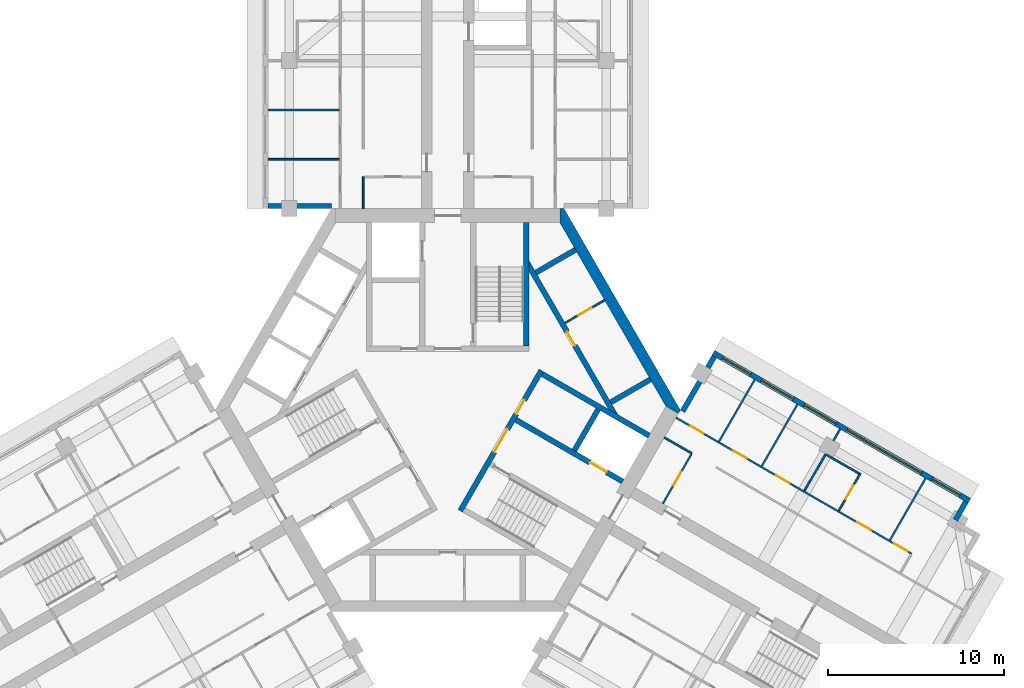
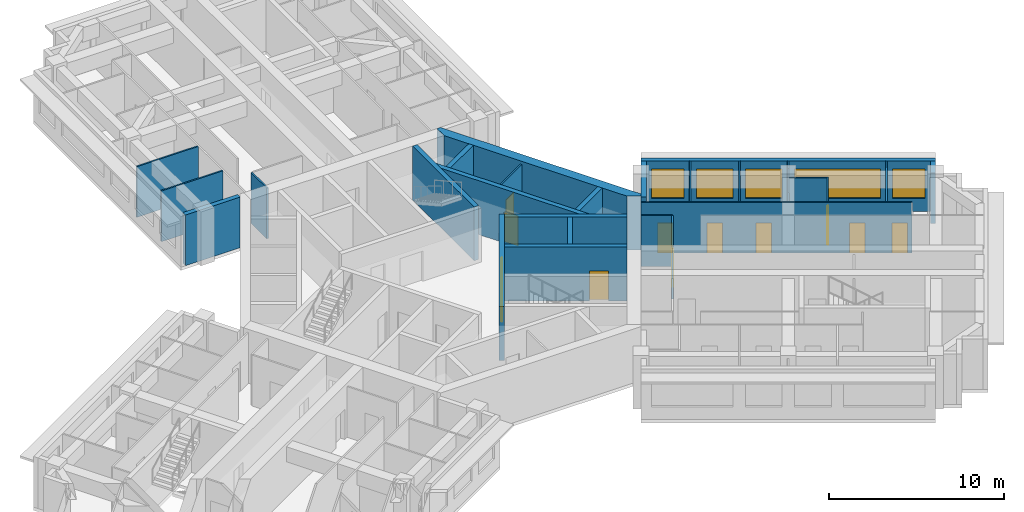
# One storey, part 6 of 10: 27 walls, 12 doors, 5 windows, 17 openings.
"""IFC4 building model written with IfcOpenShell, lengths in metres."""

import ifcopenshell
import ifcopenshell.guid

model = None  # the IFC model being written
_history = None  # IfcOwnerHistory: only IFC2X3 demands one
_inside = {}  # id of a spatial element -> (the spatial element, [elements in it])
_under = {}  # id of a project, library or spatial element -> (it, [spatial elements below it])
_declared = {}  # id of a project -> (the project, [libraries it declares])
_typed = {}  # id of a type object -> (the type object, [elements of that type])
_made_of = {}  # id of a material, layer set ... -> (it, [elements and type objects made of it])


def new_model(schema):
    """Start an empty IFC model of exactly this schema.

    Asked for "IFC4X3", IfcOpenShell would pick the latest addendum, in which some entities
    have other attributes; the version numbers below select the first issue.
    IFC2X3 requires an IfcOwnerHistory on every rooted entity: one is made here for all.
    """
    global model, _history
    if schema == "IFC4X3":
        model = ifcopenshell.file(schema_version=(4, 3, 0, 0))
    else:
        model = ifcopenshell.file(schema=schema)
    _inside.clear()
    _under.clear()
    _declared.clear()
    _typed.clear()
    _made_of.clear()
    _history = None
    if model.schema == "IFC2X3":
        org = make("IfcOrganization", Name="unknown")
        user = make(
            "IfcPersonAndOrganization",
            ThePerson=make("IfcPerson", FamilyName="unknown"),
            TheOrganization=org,
        )
        app = make(
            "IfcApplication",
            ApplicationDeveloper=org,
            Version="unknown",
            ApplicationFullName="unknown",
            ApplicationIdentifier="unknown",
        )
        _history = make(
            "IfcOwnerHistory",
            OwningUser=user,
            OwningApplication=app,
            ChangeAction="ADDED",
            CreationDate=0,
        )
    return model


def make(cls, **values):
    """One entity of the class cls with the attributes given. An attribute that is None is left unset."""
    return model.create_entity(
        cls, **{name: value for name, value in values.items() if value is not None}
    )


def rooted(cls, **values):
    """An entity with a GlobalId (a new one), such as an element, a storey or a relation."""
    return make(cls, GlobalId=ifcopenshell.guid.new(), OwnerHistory=_history, **values)


def si_unit(unit_type, name, prefix=None):
    """IfcSIUnit, for example si_unit("LENGTHUNIT", "METRE", prefix="MILLI")."""
    return make("IfcSIUnit", UnitType=unit_type, Prefix=prefix, Name=name)


def assignment(units):
    """IfcUnitAssignment: the units of a project."""
    return None if units is None else make("IfcUnitAssignment", Units=units)


def point(xyz):
    """IfcCartesianPoint."""
    return None if xyz is None else make("IfcCartesianPoint", Coordinates=xyz)


def direction(xyz):
    """IfcDirection."""
    return None if xyz is None else make("IfcDirection", DirectionRatios=xyz)


def frame(location, z_axis=None, x_axis=None):
    """IfcAxis2Placement3D, a coordinate frame: its origin and axes. An axis left out is left unset."""
    return make(
        "IfcAxis2Placement3D",
        Location=point(location),
        Axis=direction(z_axis),
        RefDirection=direction(x_axis),
    )


def frame_2d(location, x_axis=None):
    """IfcAxis2Placement2D, a coordinate frame in the plane: its origin and x axis."""
    return make(
        "IfcAxis2Placement2D", Location=point(location), RefDirection=direction(x_axis)
    )


def origin():
    """The frame at (0, 0, 0) with its axes left unset."""
    return frame((0.0, 0.0, 0.0))


def place(relative_to, where):
    """IfcLocalPlacement: puts the frame where relative to a parent placement (None: the world)."""
    return make(
        "IfcLocalPlacement", PlacementRelTo=relative_to, RelativePlacement=where
    )


def context(
    kind, dimensions, precision=None, world=None, true_north=None, identifier=None
):
    """IfcGeometricRepresentationContext, for example the 3D "Model" context."""
    return make(
        "IfcGeometricRepresentationContext",
        ContextIdentifier=identifier,
        ContextType=kind,
        CoordinateSpaceDimension=dimensions,
        Precision=precision,
        WorldCoordinateSystem=world,
        TrueNorth=true_north,
    )


def subcontext(parent, identifier, kind, view, scale=None):
    """IfcGeometricRepresentationSubContext, for example "Body" below "Model"."""
    return make(
        "IfcGeometricRepresentationSubContext",
        ContextIdentifier=identifier,
        ContextType=kind,
        ParentContext=parent,
        TargetScale=scale,
        TargetView=view,
    )


def project(units=None, contexts=None):
    """IfcProject with its units and contexts."""
    return rooted(
        "IfcProject",
        Name="project",
        RepresentationContexts=contexts,
        UnitsInContext=assignment(units),
    )


def spatial(cls, under=None, at=None, **own):
    """A site, building, storey or space (cls), placed at a placement, below another one or the project."""
    s = rooted(cls, ObjectPlacement=at, **own)
    if under is not None:
        _under.setdefault(under.id(), (under, []))[1].append(s)
    return s


def polyline(points):
    """IfcPolyline through the points."""
    return make("IfcPolyline", Points=[point(p) for p in points])


def profile(cls, at=None, kind="AREA", **sizes):
    """A parametric profile (cls). Its sizes go by their IFC names, for example OverallWidth=200.0."""
    return make(cls, ProfileType=kind, Position=at, **sizes)


def rectangle(**sizes):
    """IfcRectangleProfileDef."""
    return profile("IfcRectangleProfileDef", **sizes)


def outline(outer, holes=None, kind="AREA"):
    """IfcArbitraryClosedProfileDef: a profile drawn as a closed curve; with holes, ...WithVoids."""
    if holes is None:
        return make("IfcArbitraryClosedProfileDef", ProfileType=kind, OuterCurve=outer)
    return make(
        "IfcArbitraryProfileDefWithVoids",
        ProfileType=kind,
        OuterCurve=outer,
        InnerCurves=holes,
    )


def extrude(swept, where, along, depth):
    """IfcExtrudedAreaSolid: the profile swept, set in the frame where, extruded along a direction by depth."""
    return make(
        "IfcExtrudedAreaSolid",
        SweptArea=swept,
        Position=where,
        ExtrudedDirection=direction(along),
        Depth=depth,
    )


def shape(context_of_items, identifier, shape_type, items):
    """IfcShapeRepresentation: the items that make up one representation, for example the "Body"."""
    return make(
        "IfcShapeRepresentation",
        ContextOfItems=context_of_items,
        RepresentationIdentifier=identifier,
        RepresentationType=shape_type,
        Items=items,
    )


def material(Name=None, Category=None):
    """IfcMaterial."""
    return make("IfcMaterial", Name=Name, Category=Category)


def layer(
    of_material, thickness, ventilated=None, Name=None, Category=None, Priority=None
):
    """IfcMaterialLayer: one layer of a wall or slab, of a material (None: an air gap)."""
    return make(
        "IfcMaterialLayer",
        Material=of_material,
        LayerThickness=thickness,
        IsVentilated=ventilated,
        Name=Name,
        Category=Category,
        Priority=Priority,
    )


def layer_set(layers, Name=None):
    """IfcMaterialLayerSet."""
    return make("IfcMaterialLayerSet", MaterialLayers=layers, LayerSetName=Name)


def made_of(thing, what):
    """Note that an element or type object is made of a material, layer set ...; save() writes the relation."""
    if what is not None:
        _made_of.setdefault(what.id(), (what, []))[1].append(thing)
    return thing


def type_object(cls, material=None, **own):
    """A type object (cls), such as IfcWallType, which elements share."""
    return made_of(rooted(cls, **own), material)


def element(
    cls,
    number,
    at=None,
    inside=None,
    cuts=None,
    type_object=None,
    material=None,
    context=None,
    identifier="Body",
    shape_type=None,
    held_by="IfcProductDefinitionShape",
    body=None,
    shapes=None,
    **own,
):
    """One element of the class cls, such as IfcWall. Its Tag is "e" and its number.

    at: its placement. inside: the storey or other place that contains it. cuts: it is an
    opening in that element (IfcRelVoidsElement). A single representation is given by context,
    identifier, shape_type and body (its items); several are given by shapes. held_by: the class
    of the entity that holds the representations. save() writes the other relations.
    """
    e = rooted(cls, Tag="e%d" % number, ObjectPlacement=at, **own)
    if body is not None:
        shapes = [shape(context, identifier, shape_type, body)]
    if shapes is not None:
        e.Representation = make(held_by, Representations=shapes)
    if inside is not None:
        _inside.setdefault(inside.id(), (inside, []))[1].append(e)
    if cuts is not None:
        rooted(
            "IfcRelVoidsElement", RelatingBuildingElement=cuts, RelatedOpeningElement=e
        )
    if type_object is not None:
        _typed.setdefault(type_object.id(), (type_object, []))[1].append(e)
    return made_of(e, material)


def fill(opening, filler):
    """IfcRelFillsElement: the door or window that sits in an opening."""
    return rooted(
        "IfcRelFillsElement",
        RelatingOpeningElement=opening,
        RelatedBuildingElement=filler,
    )


def aggregate(whole, parts):
    """IfcRelAggregates: a whole, such as a stair, and the parts it consists of."""
    return rooted("IfcRelAggregates", RelatingObject=whole, RelatedObjects=parts)


def save(model, path):
    """Write the relations noted so far, then the file.

    IfcRelAggregates (storeys below a building ...), IfcRelContainedInSpatialStructure (elements
    in a storey), IfcRelDefinesByType, IfcRelAssociatesMaterial and IfcRelDeclares: one each for
    every whole, place, type object, material and project.
    """
    for whole, parts in _under.values():
        aggregate(whole, parts)
    for where, things in _inside.values():
        rooted(
            "IfcRelContainedInSpatialStructure",
            RelatedElements=things,
            RelatingStructure=where,
        )
    for kind, things in _typed.values():
        rooted("IfcRelDefinesByType", RelatedObjects=things, RelatingType=kind)
    for what, things in _made_of.values():
        rooted("IfcRelAssociatesMaterial", RelatedObjects=things, RelatingMaterial=what)
    for by, libraries in _declared.values():
        rooted("IfcRelDeclares", RelatingContext=by, RelatedDefinitions=libraries)
    model.write(path)


model = new_model("IFC4")

# Units and contexts
model_context = context("Model", 3, precision=1e-05, world=origin(), true_north=direction((0.0, 1.0)))
body_context = subcontext(model_context, "Body", "Model", "MODEL_VIEW")
ifc_project = project(units=[si_unit("LENGTHUNIT", "METRE"), si_unit("AREAUNIT", "SQUARE_METRE"), si_unit("VOLUMEUNIT", "CUBIC_METRE"), si_unit("PLANEANGLEUNIT", "RADIAN"), si_unit("MASSUNIT", "GRAM", prefix="KILO")], contexts=[model_context])

# Site, building, storey
site_placement = place(None, origin())
site = spatial("IfcSite", under=ifc_project, at=site_placement, CompositionType="ELEMENT")
building_placement = place(site_placement, origin())
building = spatial("IfcBuilding", under=site, at=building_placement, Name="Impinga Residences", CompositionType="ELEMENT")
storey_placement = place(building_placement, frame((0.0, 0.0, 271.0)))
storey = spatial("IfcBuildingStorey", under=building, at=storey_placement, Name="L68", CompositionType="ELEMENT", Elevation=271.0)

# Wall, opening, door
ifc_material_1 = material(Name="Concrete blockwork", Category="masonry")
ifc_layer_1 = layer(ifc_material_1, 0.10009765625)
ifc_layer_set_1 = layer_set([ifc_layer_1], Name="CP1 core room partition, blockwork 100")
wall_type_1 = type_object("IfcWallType", Name="CP1 core room partition, blockwork 100", PredefinedType="PARTITIONING", material=ifc_layer_set_1)
wall_1_placement = place(storey_placement, frame((6.65380859375, 4.9384765625, 0.0), z_axis=(0.0, 0.0, 1.0), x_axis=(0.865997922154, 0.500047596559, 0.0)))
wall_1 = element("IfcWall", 1, at=wall_1_placement, inside=storey, type_object=wall_type_1, Name="Core room partition, blockwork L68:CORE:mid:ZP1", PredefinedType="PARTITIONING", context=body_context, shape_type="SweptSolid", body=[
    extrude(rectangle(XDim=2.599853515625, YDim=0.10009765625, at=frame_2d((1.2998046875, 0.0))), origin(), (0.0, 0.0, 1.0), 3.530029296875),
])
opening_1_placement = place(wall_1_placement, frame((0.85009765625, 0.0, 0.0)))
opening_1 = element("IfcOpeningElement", 2, at=opening_1_placement, cuts=wall_1, Name="Opening D6", PredefinedType="OPENING", context=body_context, shape_type="SweptSolid", body=[
    extrude(rectangle(XDim=0.89990234375, YDim=2.10009765625, at=frame_2d((0.449951171875, 1.050048828125))), frame((0.0, 0.06005859375, 0.0), z_axis=(0.0, -1.0, 0.0), x_axis=(1.0, 0.0, 0.0)), (0.0, 0.0, 1.0), 0.1201171875),
])
ifc_material_2 = material(Name="Timber door set", Category="wood")
door_type_1 = type_object("IfcDoorType", Name="D6 riser and store door 900x2100", OperationType="SINGLE_SWING_LEFT", PredefinedType="DOOR", material=ifc_material_2)
door_1_placement = place(opening_1_placement, origin())
door_1 = element("IfcDoor", 3, at=door_1_placement, inside=storey, type_object=door_type_1, Name="Staff WC door", OperationType="SINGLE_SWING_LEFT", OverallHeight=2.10009765625, OverallWidth=0.89990234375, PredefinedType="DOOR", context=body_context, shape_type="SweptSolid", body=[
    extrude(rectangle(XDim=0.89990234375, YDim=2.10009765625, at=frame_2d((0.449951171875, 1.050048828125))), frame((0.0, 0.02490234375, 0.0), z_axis=(0.0, -1.0, 0.0), x_axis=(1.0, 0.0, 0.0)), (0.0, 0.0, 1.0), 0.050048828125),
])
fill(opening_1, door_1)

# Walls
ifc_material_3 = material(Name="Terracotta rainscreen on blockwork", Category="masonry")
ifc_layer_2 = layer(ifc_material_3, 0.300048828125)
ifc_layer_set_2 = layer_set([ifc_layer_2], Name="EW1 external wall, terracotta rainscreen on blockwork 300")
wall_type_2 = type_object("IfcWallType", Name="EW1 external wall, terracotta rainscreen on blockwork 300", PredefinedType="SOLIDWALL", material=ifc_layer_set_2)
wall_2_placement = place(storey_placement, frame((-6.60009765625, 11.58154296875, 0.0), z_axis=(0.0, 0.0, 1.0), x_axis=(-1.0, 0.0, 0.0)))
element("IfcWall", 4, at=wall_2_placement, inside=storey, type_object=wall_type_2, Name="External wall EW1 L68", PredefinedType="SOLIDWALL", context=body_context, shape_type="SweptSolid", body=[
    extrude(rectangle(XDim=3.599853515625, YDim=0.300048828125, at=frame_2d((1.7998046875, 0.0))), origin(), (0.0, 0.0, 1.0), 3.530029296875),
])
wall_3_placement = place(storey_placement, frame((13.329833984375, -0.074951171875, 0.0), z_axis=(0.0, 0.0, 1.0), x_axis=(0.500012057535, 0.866018442252, 0.0)))
element("IfcWall", 5, at=wall_3_placement, inside=storey, type_object=wall_type_2, Name="External wall EW1 L68", PredefinedType="SOLIDWALL", context=body_context, shape_type="SweptSolid", body=[
    extrude(rectangle(XDim=3.60009765625, YDim=0.300048828125, at=frame_2d((1.800048828125, 0.0))), origin(), (0.0, 0.0, 1.0), 3.530029296875),
])

# Wall, openings, windows
wall_4_placement = place(storey_placement, frame((15.074951171875, 3.24755859375, 0.0), z_axis=(0.0, 0.0, 1.0), x_axis=(0.86602925447, -0.499993330357, 0.0)))
wall_4 = element("IfcWall", 6, at=wall_4_placement, inside=storey, type_object=wall_type_2, Name="External wall EW1 L68", PredefinedType="SOLIDWALL", context=body_context, shape_type="SweptSolid", body=[
    extrude(rectangle(XDim=16.800048828125, YDim=0.300048828125, at=frame_2d((8.39990234375, 0.0))), origin(), (0.0, 0.0, 1.0), 3.530029296875),
])
opening_2_placement = place(wall_4_placement, frame((0.60009765625, 0.0, 0.89990234375)))
opening_2 = element("IfcOpeningElement", 7, at=opening_2_placement, cuts=wall_4, Name="Opening W15", PredefinedType="OPENING", context=body_context, shape_type="SweptSolid", body=[
    extrude(rectangle(XDim=1.85009765625, YDim=2.050048828125, at=frame_2d((0.925048828125, 1.02490234375))), frame((0.0, 0.159912109375, 0.0), z_axis=(0.0, -1.0, 0.0), x_axis=(1.0, 0.0, 0.0)), (0.0, 0.0, 1.0), 0.320068359375),
])
opening_3_placement = place(wall_4_placement, frame((3.14990234375, 0.0, 0.89990234375)))
opening_3 = element("IfcOpeningElement", 8, at=opening_3_placement, cuts=wall_4, Name="Opening W9", PredefinedType="OPENING", context=body_context, shape_type="SweptSolid", body=[
    extrude(rectangle(XDim=2.10009765625, YDim=2.050048828125, at=frame_2d((1.050048828125, 1.02490234375))), frame((0.0, 0.159912109375, 0.0), z_axis=(0.0, -1.0, 0.0), x_axis=(1.0, 0.0, 0.0)), (0.0, 0.0, 1.0), 0.320068359375),
])
opening_4_placement = place(wall_4_placement, frame((5.949951171875, 0.0, 0.89990234375)))
opening_4 = element("IfcOpeningElement", 9, at=opening_4_placement, cuts=wall_4, Name="Opening W9", PredefinedType="OPENING", context=body_context, shape_type="SweptSolid", body=[
    extrude(rectangle(XDim=2.10009765625, YDim=2.050048828125, at=frame_2d((1.050048828125, 1.02490234375))), frame((0.0, 0.159912109375, 0.0), z_axis=(0.0, -1.0, 0.0), x_axis=(1.0, 0.0, 0.0)), (0.0, 0.0, 1.0), 0.320068359375),
])
opening_5_placement = place(wall_4_placement, frame((8.75, 0.0, 0.89990234375)))
opening_5 = element("IfcOpeningElement", 10, at=opening_5_placement, cuts=wall_4, Name="Opening W16", PredefinedType="OPENING", context=body_context, shape_type="SweptSolid", body=[
    extrude(rectangle(XDim=4.89990234375, YDim=2.050048828125, at=frame_2d((2.449951171875, 1.02490234375))), frame((0.0, 0.159912109375, 0.0), z_axis=(0.0, -1.0, 0.0), x_axis=(1.0, 0.0, 0.0)), (0.0, 0.0, 1.0), 0.320068359375),
])
opening_6_placement = place(wall_4_placement, frame((14.35009765625, 0.0, 0.89990234375)))
opening_6 = element("IfcOpeningElement", 11, at=opening_6_placement, cuts=wall_4, Name="Opening W15", PredefinedType="OPENING", context=body_context, shape_type="SweptSolid", body=[
    extrude(rectangle(XDim=1.85009765625, YDim=2.050048828125, at=frame_2d((0.925048828125, 1.02490234375))), frame((0.0, 0.159912109375, 0.0), z_axis=(0.0, -1.0, 0.0), x_axis=(1.0, 0.0, 0.0)), (0.0, 0.0, 1.0), 0.320068359375),
])
ifc_material_4 = material(Name="Aluminium window, clear double glazing", Category="aluminium")
window_type_1 = type_object("IfcWindowType", Name="W15 ribbon window 1850x2050", PartitioningType="SINGLE_PANEL", PredefinedType="WINDOW", material=ifc_material_4)
window_1_placement = place(opening_2_placement, origin())
window_1 = element("IfcWindow", 12, at=window_1_placement, inside=storey, type_object=window_type_1, Name="Window L68", OverallHeight=2.050048828125, OverallWidth=1.85009765625, PartitioningType="SINGLE_PANEL", PredefinedType="WINDOW", context=body_context, shape_type="SweptSolid", body=[
    extrude(rectangle(XDim=1.85009765625, YDim=2.050048828125, at=frame_2d((0.925048828125, 1.02490234375))), frame((0.0, 0.030029296875, 0.0), z_axis=(0.0, -1.0, 0.0), x_axis=(1.0, 0.0, 0.0)), (0.0, 0.0, 1.0), 0.06005859375),
])
fill(opening_2, window_1)
window_2_placement = place(opening_6_placement, origin())
window_2 = element("IfcWindow", 13, at=window_2_placement, inside=storey, type_object=window_type_1, Name="Window L68", OverallHeight=2.050048828125, OverallWidth=1.85009765625, PartitioningType="SINGLE_PANEL", PredefinedType="WINDOW", context=body_context, shape_type="SweptSolid", body=[
    extrude(rectangle(XDim=1.85009765625, YDim=2.050048828125, at=frame_2d((0.925048828125, 1.02490234375))), frame((0.0, 0.030029296875, 0.0), z_axis=(0.0, -1.0, 0.0), x_axis=(1.0, 0.0, 0.0)), (0.0, 0.0, 1.0), 0.06005859375),
])
fill(opening_6, window_2)
window_type_2 = type_object("IfcWindowType", Name="W16 ribbon window 4900x2050", PartitioningType="SINGLE_PANEL", PredefinedType="WINDOW", material=ifc_material_4)
window_3_placement = place(opening_5_placement, origin())
window_3 = element("IfcWindow", 14, at=window_3_placement, inside=storey, type_object=window_type_2, Name="Window L68", OverallHeight=2.050048828125, OverallWidth=4.89990234375, PartitioningType="SINGLE_PANEL", PredefinedType="WINDOW", context=body_context, shape_type="SweptSolid", body=[
    extrude(rectangle(XDim=4.89990234375, YDim=2.050048828125, at=frame_2d((2.449951171875, 1.02490234375))), frame((0.0, 0.030029296875, 0.0), z_axis=(0.0, -1.0, 0.0), x_axis=(1.0, 0.0, 0.0)), (0.0, 0.0, 1.0), 0.06005859375),
])
fill(opening_5, window_3)
window_type_3 = type_object("IfcWindowType", Name="W9 ribbon window 2100x2050", PartitioningType="SINGLE_PANEL", PredefinedType="WINDOW", material=ifc_material_4)
window_4_placement = place(opening_3_placement, origin())
window_4 = element("IfcWindow", 15, at=window_4_placement, inside=storey, type_object=window_type_3, Name="Window L68", OverallHeight=2.050048828125, OverallWidth=2.10009765625, PartitioningType="SINGLE_PANEL", PredefinedType="WINDOW", context=body_context, shape_type="SweptSolid", body=[
    extrude(rectangle(XDim=2.10009765625, YDim=2.050048828125, at=frame_2d((1.050048828125, 1.02490234375))), frame((0.0, 0.030029296875, 0.0), z_axis=(0.0, -1.0, 0.0), x_axis=(1.0, 0.0, 0.0)), (0.0, 0.0, 1.0), 0.06005859375),
])
fill(opening_3, window_4)
window_5_placement = place(opening_4_placement, origin())
window_5 = element("IfcWindow", 16, at=window_5_placement, inside=storey, type_object=window_type_3, Name="Window L68", OverallHeight=2.050048828125, OverallWidth=2.10009765625, PartitioningType="SINGLE_PANEL", PredefinedType="WINDOW", context=body_context, shape_type="SweptSolid", body=[
    extrude(rectangle(XDim=2.10009765625, YDim=2.050048828125, at=frame_2d((1.050048828125, 1.02490234375))), frame((0.0, 0.030029296875, 0.0), z_axis=(0.0, -1.0, 0.0), x_axis=(1.0, 0.0, 0.0)), (0.0, 0.0, 1.0), 0.06005859375),
])
fill(opening_4, window_5)

# Walls
wall_5_placement = place(storey_placement, frame((29.41943359375, -5.207275390625, 0.0), z_axis=(0.0, 0.0, 1.0), x_axis=(-0.500033551112, -0.866006032174, 0.0)))
element("IfcWall", 17, at=wall_5_placement, inside=storey, type_object=wall_type_2, Name="External wall EW1 L68", PredefinedType="SOLIDWALL", context=body_context, shape_type="SweptSolid", body=[
    extrude(rectangle(XDim=1.2001953125, YDim=0.300048828125, at=frame_2d((0.60009765625, 0.0))), origin(), (0.0, 0.0, 1.0), 3.530029296875),
])
ifc_material_5 = material(Name="Gypsum board on steel studs", Category="steel")
ifc_layer_3 = layer(ifc_material_5, 0.10009765625)
ifc_layer_set_3 = layer_set([ifc_layer_3], Name="Gypsum board on steel studs")
wall_type_3 = type_object("IfcWallType", Name="IP1 partition 100", PredefinedType="PARTITIONING", material=ifc_layer_set_3)
wall_6_placement = place(storey_placement, frame((-4.800048828125, 11.431640625, 0.0), z_axis=(0.0, 0.0, 1.0), x_axis=(0.0, 1.0, 0.0)))
element("IfcWall", 18, at=wall_6_placement, inside=storey, type_object=wall_type_3, Name="Partition L68-NA1:DIV0", PredefinedType="PARTITIONING", context=body_context, shape_type="SweptSolid", body=[
    extrude(rectangle(XDim=1.7998046875, YDim=0.10009765625, at=frame_2d((0.89990234375, 0.0))), origin(), (0.0, 0.0, 1.0), 3.530029296875),
])
for number, where, z_axis, x_axis, name in (
    (19, (-6.14990234375, 14.2314453125, 0.0), (0.0, 0.0, 1.0), (-1.0, 0.0, 0.0), "Partition L68-NA1:OB1"),
    (20, (-6.14990234375, 17.031494140625, 0.0), (0.0, 0.0, 1.0), (-1.0, 0.0, 0.0), "Partition L68-NA1:OB2"),
):
    element("IfcWall", number, at=place(storey_placement, frame(where, z_axis=z_axis, x_axis=x_axis)), inside=storey, type_object=wall_type_3, Name=name, PredefinedType="PARTITIONING", context=body_context, shape_type="SweptSolid", body=[
        extrude(rectangle(XDim=4.050048828125, YDim=0.10009765625, at=frame_2d((2.02490234375, 0.0))), origin(), (0.0, 0.0, 1.0), 3.530029296875),
    ])
wall_7_placement = place(storey_placement, frame((12.300048828125, -1.558837890625, 0.0), z_axis=(0.0, 0.0, 1.0), x_axis=(0.866047807691, -0.499961193289, 0.0)))
element("IfcWall", 21, at=wall_7_placement, inside=storey, type_object=wall_type_3, Name="Partition L68-EA1:DIV0", PredefinedType="PARTITIONING", context=body_context, shape_type="SweptSolid", body=[
    extrude(rectangle(XDim=1.800048828125, YDim=0.10009765625, at=frame_2d((0.89990234375, 0.0))), origin(), (0.0, 0.0, 1.0), 3.530029296875),
])

# Wall, openings, doors
wall_8_placement = place(storey_placement, frame((12.949951171875, -0.43310546875, 0.0), z_axis=(0.0, 0.0, 1.0), x_axis=(0.866030066916, -0.499991923133, 0.0)))
wall_8 = element("IfcWall", 22, at=wall_8_placement, inside=storey, type_object=wall_type_3, Name="Partition L68-EA1:STRIP", PredefinedType="PARTITIONING", context=body_context, shape_type="SweptSolid", body=[
    extrude(rectangle(XDim=15.449951171875, YDim=0.10009765625, at=frame_2d((7.72509765625, 0.0))), origin(), (0.0, 0.0, 1.0), 3.530029296875),
])
opening_7_placement = place(wall_8_placement, frame((0.925048828125, 0.0, 0.0)))
opening_7 = element("IfcOpeningElement", 23, at=opening_7_placement, cuts=wall_8, Name="Opening D2", PredefinedType="OPENING", context=body_context, shape_type="SweptSolid", body=[
    extrude(rectangle(XDim=0.89990234375, YDim=2.10009765625, at=frame_2d((0.449951171875, 1.050048828125))), frame((0.0, 0.06005859375, 0.0), z_axis=(0.0, -1.0, 0.0), x_axis=(1.0, 0.0, 0.0)), (0.0, 0.0, 1.0), 0.1201171875),
])
opening_8_placement = place(wall_8_placement, frame((3.75, 0.0, 0.0)))
opening_8 = element("IfcOpeningElement", 24, at=opening_8_placement, cuts=wall_8, Name="Opening D2", PredefinedType="OPENING", context=body_context, shape_type="SweptSolid", body=[
    extrude(rectangle(XDim=0.89990234375, YDim=2.10009765625, at=frame_2d((0.449951171875, 1.050048828125))), frame((0.0, 0.06005859375, 0.0), z_axis=(0.0, -1.0, 0.0), x_axis=(1.0, 0.0, 0.0)), (0.0, 0.0, 1.0), 0.1201171875),
])
opening_9_placement = place(wall_8_placement, frame((6.550048828125, 0.0, 0.0)))
opening_9 = element("IfcOpeningElement", 25, at=opening_9_placement, cuts=wall_8, Name="Opening D2", PredefinedType="OPENING", context=body_context, shape_type="SweptSolid", body=[
    extrude(rectangle(XDim=0.89990234375, YDim=2.10009765625, at=frame_2d((0.449951171875, 1.050048828125))), frame((0.0, 0.06005859375, 0.0), z_axis=(0.0, -1.0, 0.0), x_axis=(1.0, 0.0, 0.0)), (0.0, 0.0, 1.0), 0.1201171875),
])
opening_10_placement = place(wall_8_placement, frame((11.875, 0.0, 0.0)))
opening_10 = element("IfcOpeningElement", 26, at=opening_10_placement, cuts=wall_8, Name="Opening D2", PredefinedType="OPENING", context=body_context, shape_type="SweptSolid", body=[
    extrude(rectangle(XDim=0.89990234375, YDim=2.10009765625, at=frame_2d((0.449951171875, 1.050048828125))), frame((0.0, 0.06005859375, 0.0), z_axis=(0.0, -1.0, 0.0), x_axis=(1.0, 0.0, 0.0)), (0.0, 0.0, 1.0), 0.1201171875),
])
opening_11_placement = place(wall_8_placement, frame((14.300048828125, 0.0, 0.0)))
opening_11 = element("IfcOpeningElement", 27, at=opening_11_placement, cuts=wall_8, Name="Opening D2", PredefinedType="OPENING", context=body_context, shape_type="SweptSolid", body=[
    extrude(rectangle(XDim=0.89990234375, YDim=2.10009765625, at=frame_2d((0.449951171875, 1.050048828125))), frame((0.0, 0.06005859375, 0.0), z_axis=(0.0, -1.0, 0.0), x_axis=(1.0, 0.0, 0.0)), (0.0, 0.0, 1.0), 0.1201171875),
])
door_type_2 = type_object("IfcDoorType", Name="D2 internal door 900x2100", OperationType="SINGLE_SWING_LEFT", PredefinedType="DOOR", material=ifc_material_2)
door_2_placement = place(opening_7_placement, origin())
door_2 = element("IfcDoor", 28, at=door_2_placement, inside=storey, type_object=door_type_2, Name="Apartment L68-EA1 room door", OperationType="SINGLE_SWING_LEFT", OverallHeight=2.10009765625, OverallWidth=0.89990234375, PredefinedType="DOOR", context=body_context, shape_type="SweptSolid", body=[
    extrude(rectangle(XDim=0.89990234375, YDim=2.10009765625, at=frame_2d((0.449951171875, 1.050048828125))), frame((0.0, 0.02490234375, 0.0), z_axis=(0.0, -1.0, 0.0), x_axis=(1.0, 0.0, 0.0)), (0.0, 0.0, 1.0), 0.050048828125),
])
fill(opening_7, door_2)
door_3_placement = place(opening_8_placement, origin())
door_3 = element("IfcDoor", 29, at=door_3_placement, inside=storey, type_object=door_type_2, Name="Apartment L68-EA1 room door", OperationType="SINGLE_SWING_LEFT", OverallHeight=2.10009765625, OverallWidth=0.89990234375, PredefinedType="DOOR", context=body_context, shape_type="SweptSolid", body=[
    extrude(rectangle(XDim=0.89990234375, YDim=2.10009765625, at=frame_2d((0.449951171875, 1.050048828125))), frame((0.0, 0.02490234375, 0.0), z_axis=(0.0, -1.0, 0.0), x_axis=(1.0, 0.0, 0.0)), (0.0, 0.0, 1.0), 0.050048828125),
])
fill(opening_8, door_3)
door_4_placement = place(opening_9_placement, origin())
door_4 = element("IfcDoor", 30, at=door_4_placement, inside=storey, type_object=door_type_2, Name="Apartment L68-EA1 room door", OperationType="SINGLE_SWING_LEFT", OverallHeight=2.10009765625, OverallWidth=0.89990234375, PredefinedType="DOOR", context=body_context, shape_type="SweptSolid", body=[
    extrude(rectangle(XDim=0.89990234375, YDim=2.10009765625, at=frame_2d((0.449951171875, 1.050048828125))), frame((0.0, 0.02490234375, 0.0), z_axis=(0.0, -1.0, 0.0), x_axis=(1.0, 0.0, 0.0)), (0.0, 0.0, 1.0), 0.050048828125),
])
fill(opening_9, door_4)
door_5_placement = place(opening_10_placement, origin())
door_5 = element("IfcDoor", 31, at=door_5_placement, inside=storey, type_object=door_type_2, Name="Apartment L68-EA1 room door", OperationType="SINGLE_SWING_RIGHT", OverallHeight=2.10009765625, OverallWidth=0.89990234375, PredefinedType="DOOR", context=body_context, shape_type="SweptSolid", body=[
    extrude(rectangle(XDim=0.89990234375, YDim=2.10009765625, at=frame_2d((0.449951171875, 1.050048828125))), frame((0.0, 0.02490234375, 0.0), z_axis=(0.0, -1.0, 0.0), x_axis=(1.0, 0.0, 0.0)), (0.0, 0.0, 1.0), 0.050048828125),
])
fill(opening_10, door_5)
door_6_placement = place(opening_11_placement, origin())
door_6 = element("IfcDoor", 32, at=door_6_placement, inside=storey, type_object=door_type_2, Name="Apartment L68-EA1 room door", OperationType="SINGLE_SWING_RIGHT", OverallHeight=2.10009765625, OverallWidth=0.89990234375, PredefinedType="DOOR", context=body_context, shape_type="SweptSolid", body=[
    extrude(rectangle(XDim=0.89990234375, YDim=2.10009765625, at=frame_2d((0.449951171875, 1.050048828125))), frame((0.0, 0.02490234375, 0.0), z_axis=(0.0, -1.0, 0.0), x_axis=(1.0, 0.0, 0.0)), (0.0, 0.0, 1.0), 0.050048828125),
])
fill(opening_11, door_6)

# Wall, opening, door
wall_9_placement = place(storey_placement, frame((12.208740234375, -5.316650390625, 0.0), z_axis=(0.0, 0.0, 1.0), x_axis=(0.500017246033, 0.866015446554, 0.0)))
wall_9 = element("IfcWall", 33, at=wall_9_placement, inside=storey, type_object=wall_type_3, Name="Partition L68-EA1:IB1", PredefinedType="PARTITIONING", context=body_context, shape_type="SweptSolid", body=[
    extrude(rectangle(XDim=3.25, YDim=0.10009765625, at=frame_2d((1.625, 0.0))), origin(), (0.0, 0.0, 1.0), 3.530029296875),
])
opening_12_placement = place(wall_9_placement, frame((1.175048828125, 0.0, 0.0)))
opening_12 = element("IfcOpeningElement", 34, at=opening_12_placement, cuts=wall_9, Name="Opening D2", PredefinedType="OPENING", context=body_context, shape_type="SweptSolid", body=[
    extrude(rectangle(XDim=0.89990234375, YDim=2.10009765625, at=frame_2d((0.449951171875, 1.050048828125))), frame((0.0, 0.06005859375, 0.0), z_axis=(0.0, -1.0, 0.0), x_axis=(1.0, 0.0, 0.0)), (0.0, 0.0, 1.0), 0.1201171875),
])
door_7_placement = place(opening_12_placement, origin())
door_7 = element("IfcDoor", 35, at=door_7_placement, inside=storey, type_object=door_type_2, Name="Apartment L68-EA1 bathroom door", OperationType="SINGLE_SWING_LEFT", OverallHeight=2.10009765625, OverallWidth=0.89990234375, PredefinedType="DOOR", context=body_context, shape_type="SweptSolid", body=[
    extrude(rectangle(XDim=0.89990234375, YDim=2.10009765625, at=frame_2d((0.449951171875, 1.050048828125))), frame((0.0, 0.02490234375, 0.0), z_axis=(0.0, -1.0, 0.0), x_axis=(1.0, 0.0, 0.0)), (0.0, 0.0, 1.0), 0.050048828125),
])
fill(opening_12, door_7)

# Walls
for number, where, z_axis, x_axis, name in (
    (36, (15.39990234375, -1.789794921875, 0.0), (0.0, 0.0, 1.0), (0.499964223975, 0.866046058097, 0.0), "Partition L68-EA1:OB1"),
    (37, (17.82470703125, -3.189697265625, 0.0), (0.0, 0.0, 1.0), (0.500035537042, 0.866004885491, 0.0), "Partition L68-EA1:OB2"),
):
    element("IfcWall", number, at=place(storey_placement, frame(where, z_axis=z_axis, x_axis=x_axis)), inside=storey, type_object=wall_type_3, Name=name, PredefinedType="PARTITIONING", context=body_context, shape_type="SweptSolid", body=[
        extrude(rectangle(XDim=4.050048828125, YDim=0.10009765625, at=frame_2d((2.02490234375, 0.0))), origin(), (0.0, 0.0, 1.0), 3.530029296875),
    ])
wall_10_placement = place(storey_placement, frame((20.24951171875, -4.589599609375, 0.0), z_axis=(0.0, 0.0, 1.0), x_axis=(0.500077600433, 0.865980596518, 0.0)))
element("IfcWall", 38, at=wall_10_placement, inside=storey, type_object=wall_type_3, Name="Partition L68-EA1:OB3", PredefinedType="PARTITIONING", context=body_context, shape_type="SweptSolid", body=[
    extrude(rectangle(XDim=2.39990234375, YDim=0.10009765625, at=frame_2d((1.199951171875, 0.0))), origin(), (0.0, 0.0, 1.0), 2.47998046875),
])
wall_11_placement = place(storey_placement, frame((21.899658203125, -1.73193359375, 0.0), z_axis=(0.0, 0.0, 1.0), x_axis=(0.499919672301, 0.866071776036, 0.0)))
element("IfcWall", 39, at=wall_11_placement, inside=storey, type_object=wall_type_3, Name="Partition L68-EA1:OB3b", PredefinedType="PARTITIONING", context=body_context, shape_type="SweptSolid", body=[
    extrude(rectangle(XDim=0.75, YDim=0.10009765625, at=frame_2d((0.375, 0.0))), origin(), (0.0, 0.0, 1.0), 3.530029296875),
])
wall_12_placement = place(storey_placement, frame((25.099365234375, -7.3896484375, 0.0), z_axis=(0.0, 0.0, 1.0), x_axis=(0.499990325971, 0.866030989016, 0.0)))
element("IfcWall", 40, at=wall_12_placement, inside=storey, type_object=wall_type_3, Name="Partition L68-EA1:OB4", PredefinedType="PARTITIONING", context=body_context, shape_type="SweptSolid", body=[
    extrude(rectangle(XDim=4.0498046875, YDim=0.10009765625, at=frame_2d((2.02490234375, 0.0))), origin(), (0.0, 0.0, 1.0), 3.530029296875),
])

# Wall, opening, door
wall_13_placement = place(storey_placement, frame((22.1982421875, -5.714599609375, 0.0), z_axis=(0.0, 0.0, 1.0), x_axis=(0.499987006516, 0.866032905446, 0.0)))
wall_13 = element("IfcWall", 41, at=wall_13_placement, inside=storey, type_object=wall_type_3, Name="Partition L68-EA1:EN1", PredefinedType="PARTITIONING", context=body_context, shape_type="SweptSolid", body=[
    extrude(rectangle(XDim=2.44970703125, YDim=0.10009765625, at=frame_2d((1.224853515625, 0.0))), origin(), (0.0, 0.0, 1.0), 3.530029296875),
])
opening_13_placement = place(wall_13_placement, frame((0.75, 0.0, 0.0)))
opening_13 = element("IfcOpeningElement", 42, at=opening_13_placement, cuts=wall_13, Name="Opening D2", PredefinedType="OPENING", context=body_context, shape_type="SweptSolid", body=[
    extrude(rectangle(XDim=0.89990234375, YDim=2.10009765625, at=frame_2d((0.449951171875, 1.050048828125))), frame((0.0, 0.06005859375, 0.0), z_axis=(0.0, -1.0, 0.0), x_axis=(1.0, 0.0, 0.0)), (0.0, 0.0, 1.0), 0.1201171875),
])
door_8_placement = place(opening_13_placement, origin())
door_8 = element("IfcDoor", 43, at=door_8_placement, inside=storey, type_object=door_type_2, Name="Apartment L68-EA1 en-suite door", OperationType="SINGLE_SWING_LEFT", OverallHeight=2.10009765625, OverallWidth=0.89990234375, PredefinedType="DOOR", context=body_context, shape_type="SweptSolid", body=[
    extrude(rectangle(XDim=0.89990234375, YDim=2.10009765625, at=frame_2d((0.449951171875, 1.050048828125))), frame((0.0, 0.02490234375, 0.0), z_axis=(0.0, -1.0, 0.0), x_axis=(1.0, 0.0, 0.0)), (0.0, 0.0, 1.0), 0.050048828125),
])
fill(opening_13, door_8)

# Walls
wall_14_placement = place(storey_placement, frame((21.492919921875, -2.5361328125, 0.0), z_axis=(0.0, 0.0, 1.0), x_axis=(0.865998386012, -0.500046793234, 0.0)))
element("IfcWall", 44, at=wall_14_placement, inside=storey, type_object=wall_type_3, Name="Partition L68-EA1:EN2", PredefinedType="PARTITIONING", context=body_context, shape_type="SweptSolid", body=[
    extrude(rectangle(XDim=2.150146484375, YDim=0.10009765625, at=frame_2d((1.0751953125, 0.0))), origin(), (0.0, 0.0, 1.0), 3.530029296875),
])
ifc_material_6 = material(Name="Concrete C60/75", Category="concrete")
ifc_layer_4 = layer(ifc_material_6, 0.60009765625)
ifc_layer_set_4 = layer_set([ifc_layer_4], Name="Concrete C60/75")
wall_type_4 = type_object("IfcWallType", Name="SW4 core wall, crown 600", PredefinedType="SHEAR", material=ifc_layer_set_4)
wall_15_placement = place(storey_placement, origin())
element("IfcWall", 45, at=wall_15_placement, inside=storey, type_object=wall_type_4, Name="Core wall SW4 W:EXPOSED L68", PredefinedType="SHEAR", context=body_context, shape_type="SweptSolid", body=[
    extrude(outline(polyline([(13.199951171875, 0.0), (6.60009765625, 11.431640625), (6.369140625, 11.431640625), (6.369140625, 10.631591796875), (12.3916015625, 0.199951171875), (13.08447265625, -0.199951171875), (13.199951171875, 0.0)])), origin(), (0.0, 0.0, 1.0), 3.75),
])
ifc_material_7 = material(Name="Concrete C70/85", Category="concrete")
ifc_layer_5 = layer(ifc_material_7, 0.300048828125)
ifc_layer_set_5 = layer_set([ifc_layer_5], Name="Concrete C70/85")
wall_type_5 = type_object("IfcWallType", Name="SW5 core inner wall, stairs, shafts and lobbies 300", PredefinedType="SHEAR", material=ifc_layer_set_5)
wall_16_placement = place(storey_placement, frame((4.449951171875, 3.6298828125, 0.0), z_axis=(0.0, 0.0, 1.0), x_axis=(0.0, 1.0, 0.0)))
element("IfcWall", 46, at=wall_16_placement, inside=storey, type_object=wall_type_5, Name="Core wall SW5 N:ST-OUT L68", PredefinedType="SHEAR", context=body_context, shape_type="SweptSolid", body=[
    extrude(rectangle(XDim=7.001708984375, YDim=0.300048828125, at=frame_2d((3.5009765625, 0.0))), origin(), (0.0, 0.0, 1.0), 3.75),
])

# Wall, openings, doors
wall_17_placement = place(storey_placement, frame((5.313720703125, 2.24365234375, 0.0), z_axis=(0.0, 0.0, 1.0), x_axis=(-0.499995050369, -0.866028261437, 0.0)))
wall_17 = element("IfcWall", 47, at=wall_17_placement, inside=storey, type_object=wall_type_5, Name="Core wall SW5 E:ZONE L68", PredefinedType="SHEAR", context=body_context, shape_type="SweptSolid", body=[
    extrude(rectangle(XDim=9.19970703125, YDim=0.300048828125, at=frame_2d((4.599853515625, 0.0))), origin(), (0.0, 0.0, 1.0), 3.75),
])
opening_14_placement = place(wall_17_placement, frame((3.85009765625, 0.0, 0.0)))
opening_14 = element("IfcOpeningElement", 48, at=opening_14_placement, cuts=wall_17, Name="Opening D4", PredefinedType="OPENING", context=body_context, shape_type="SweptSolid", body=[
    extrude(rectangle(XDim=1.5, YDim=2.10009765625, at=frame_2d((0.75, 1.050048828125))), frame((0.0, 0.159912109375, 0.0), z_axis=(0.0, -1.0, 0.0), x_axis=(1.0, 0.0, 0.0)), (0.0, 0.0, 1.0), 0.320068359375),
])
opening_15_placement = place(wall_17_placement, frame((1.949951171875, 0.0, 0.0)))
opening_15 = element("IfcOpeningElement", 49, at=opening_15_placement, cuts=wall_17, Name="Opening D6", PredefinedType="OPENING", context=body_context, shape_type="SweptSolid", body=[
    extrude(rectangle(XDim=0.89990234375, YDim=2.10009765625, at=frame_2d((0.449951171875, 1.050048828125))), frame((0.0, 0.159912109375, 0.0), z_axis=(0.0, -1.0, 0.0), x_axis=(1.0, 0.0, 0.0)), (0.0, 0.0, 1.0), 0.320068359375),
])
door_type_3 = type_object("IfcDoorType", Name="D4 lobby door pair 1500x2100", OperationType="DOUBLE_DOOR_DOUBLE_SWING", PredefinedType="DOOR", material=ifc_material_2)
door_9_placement = place(opening_14_placement, origin())
door_9 = element("IfcDoor", 50, at=door_9_placement, inside=storey, type_object=door_type_3, Name="Firefighting lobby door E", OperationType="DOUBLE_DOOR_DOUBLE_SWING", OverallHeight=2.10009765625, OverallWidth=1.5, PredefinedType="DOOR", context=body_context, shape_type="SweptSolid", body=[
    extrude(rectangle(XDim=1.5, YDim=2.10009765625, at=frame_2d((0.75, 1.050048828125))), frame((0.0, 0.02490234375, 0.0), z_axis=(0.0, -1.0, 0.0), x_axis=(1.0, 0.0, 0.0)), (0.0, 0.0, 1.0), 0.050048828125),
])
fill(opening_14, door_9)
door_10_placement = place(opening_15_placement, origin())
door_10 = element("IfcDoor", 51, at=door_10_placement, inside=storey, type_object=door_type_1, Name="Riser door E", OperationType="SINGLE_SWING_LEFT", OverallHeight=2.10009765625, OverallWidth=0.89990234375, PredefinedType="DOOR", context=body_context, shape_type="SweptSolid", body=[
    extrude(rectangle(XDim=0.89990234375, YDim=2.10009765625, at=frame_2d((0.449951171875, 1.050048828125))), frame((0.0, 0.02490234375, 0.0), z_axis=(0.0, -1.0, 0.0), x_axis=(1.0, 0.0, 0.0)), (0.0, 0.0, 1.0), 0.050048828125),
])
fill(opening_15, door_10)

# Wall, opening, door
wall_18_placement = place(storey_placement, frame((3.86865234375, -0.559326171875, 0.0), z_axis=(0.0, 0.0, 1.0), x_axis=(0.866026480128, -0.499998135713, 0.0)))
wall_18 = element("IfcWall", 52, at=wall_18_placement, inside=storey, type_object=wall_type_5, Name="Core wall SW5 E:FF-IN L68", PredefinedType="SHEAR", context=body_context, shape_type="SweptSolid", body=[
    extrude(rectangle(XDim=7.00146484375, YDim=0.300048828125, at=frame_2d((3.500732421875, 0.0))), origin(), (0.0, 0.0, 1.0), 3.75),
])
opening_16_placement = place(wall_18_placement, frame((4.85009765625, 0.0, 0.0)))
opening_16 = element("IfcOpeningElement", 53, at=opening_16_placement, cuts=wall_18, Name="Opening LD2", PredefinedType="OPENING", context=body_context, shape_type="SweptSolid", body=[
    extrude(rectangle(XDim=1.10009765625, YDim=2.10009765625, at=frame_2d((0.550048828125, 1.050048828125))), frame((0.0, 0.159912109375, 0.0), z_axis=(0.0, -1.0, 0.0), x_axis=(1.0, 0.0, 0.0)), (0.0, 0.0, 1.0), 0.320068359375),
])
ifc_material_8 = material(Name="Steel lift landing door", Category="steel")
door_type_4 = type_object("IfcDoorType", Name="LD2 firefighting lift landing door 1100x2100", OperationType="DOUBLE_DOOR_SLIDING", PredefinedType="DOOR", material=ifc_material_8)
door_11_placement = place(opening_16_placement, origin())
door_11 = element("IfcDoor", 54, at=door_11_placement, inside=storey, type_object=door_type_4, Name="Firefighting lift landing door F3", OperationType="DOUBLE_DOOR_SLIDING", OverallHeight=2.10009765625, OverallWidth=1.10009765625, PredefinedType="DOOR", context=body_context, shape_type="SweptSolid", body=[
    extrude(rectangle(XDim=1.10009765625, YDim=2.10009765625, at=frame_2d((0.550048828125, 1.050048828125))), frame((0.0, 0.02490234375, 0.0), z_axis=(0.0, -1.0, 0.0), x_axis=(1.0, 0.0, 0.0)), (0.0, 0.0, 1.0), 0.050048828125),
])
fill(opening_16, door_11)

# Walls
wall_19_placement = place(storey_placement, frame((5.36865234375, 2.038818359375, 0.0), z_axis=(0.0, 0.0, 1.0), x_axis=(0.866026480128, -0.499998135713, 0.0)))
element("IfcWall", 55, at=wall_19_placement, inside=storey, type_object=wall_type_5, Name="Core wall SW5 E:FF-OUT L68", PredefinedType="SHEAR", context=body_context, shape_type="SweptSolid", body=[
    extrude(rectangle(XDim=7.00146484375, YDim=0.300048828125, at=frame_2d((3.500732421875, 0.0))), origin(), (0.0, 0.0, 1.0), 3.75),
])
wall_20_placement = place(storey_placement, frame((8.541259765625, 0.033935546875, 0.0), z_axis=(0.0, 0.0, 1.0), x_axis=(-0.50000943426, -0.866019956843, 0.0)))
element("IfcWall", 56, at=wall_20_placement, inside=storey, type_object=wall_type_5, Name="Core wall SW5 E:FF-RS L68", PredefinedType="SHEAR", context=body_context, shape_type="SweptSolid", body=[
    extrude(rectangle(XDim=2.7001953125, YDim=0.300048828125, at=frame_2d((1.35009765625, 0.0))), origin(), (0.0, 0.0, 1.0), 3.75),
])

# Wall, opening, door
wall_21_placement = place(storey_placement, frame((4.449951171875, 8.455322265625, 0.0), z_axis=(0.0, 0.0, 1.0), x_axis=(0.500002290144, -0.866024081565, 0.0)))
wall_21 = element("IfcWall", 57, at=wall_21_placement, inside=storey, type_object=wall_type_5, Name="Core wall SW5 W:BANK-FRONT L68", PredefinedType="SHEAR", context=body_context, shape_type="SweptSolid", body=[
    extrude(rectangle(XDim=10.1953125, YDim=0.300048828125, at=frame_2d((5.09765625, 0.0))), origin(), (0.0, 0.0, 1.0), 3.75),
])
opening_17_placement = place(wall_21_placement, frame((4.647705078125, 0.0, 0.0)))
opening_17 = element("IfcOpeningElement", 58, at=opening_17_placement, cuts=wall_21, Name="Opening D6", PredefinedType="OPENING", context=body_context, shape_type="SweptSolid", body=[
    extrude(rectangle(XDim=0.89990234375, YDim=2.10009765625, at=frame_2d((0.449951171875, 1.050048828125))), frame((0.0, 0.159912109375, 0.0), z_axis=(0.0, -1.0, 0.0), x_axis=(1.0, 0.0, 0.0)), (0.0, 0.0, 1.0), 0.320068359375),
])
door_12_placement = place(opening_17_placement, origin())
door_12 = element("IfcDoor", 59, at=door_12_placement, inside=storey, type_object=door_type_1, Name="Guest pantry door", OperationType="SINGLE_SWING_RIGHT", OverallHeight=2.10009765625, OverallWidth=0.89990234375, PredefinedType="DOOR", context=body_context, shape_type="SweptSolid", body=[
    extrude(rectangle(XDim=0.89990234375, YDim=2.10009765625, at=frame_2d((0.449951171875, 1.050048828125))), frame((0.0, 0.02490234375, 0.0), z_axis=(0.0, -1.0, 0.0), x_axis=(1.0, 0.0, 0.0)), (0.0, 0.0, 1.0), 0.050048828125),
])
fill(opening_17, door_12)

# Walls
for number, where, z_axis, x_axis, name in (
    (60, (5.003662109375, 7.79638671875, 0.0), (0.0, 0.0, 1.0), (0.866021400173, 0.500006934395, 0.0), "Core wall SW5 W:BANK-L L68"),
    (61, (9.253662109375, 0.43505859375, 0.0), (0.0, 0.0, 1.0), (0.866021400173, 0.500006934395, 0.0), "Core wall SW5 W:BANK-R L68"),
):
    element("IfcWall", number, at=place(storey_placement, frame(where, z_axis=z_axis, x_axis=x_axis)), inside=storey, type_object=wall_type_5, Name=name, PredefinedType="SHEAR", context=body_context, shape_type="SweptSolid", body=[
        extrude(rectangle(XDim=2.60009765625, YDim=0.300048828125, at=frame_2d((1.300048828125, 0.0))), origin(), (0.0, 0.0, 1.0), 3.75),
    ])

save(model, "model.ifc")
